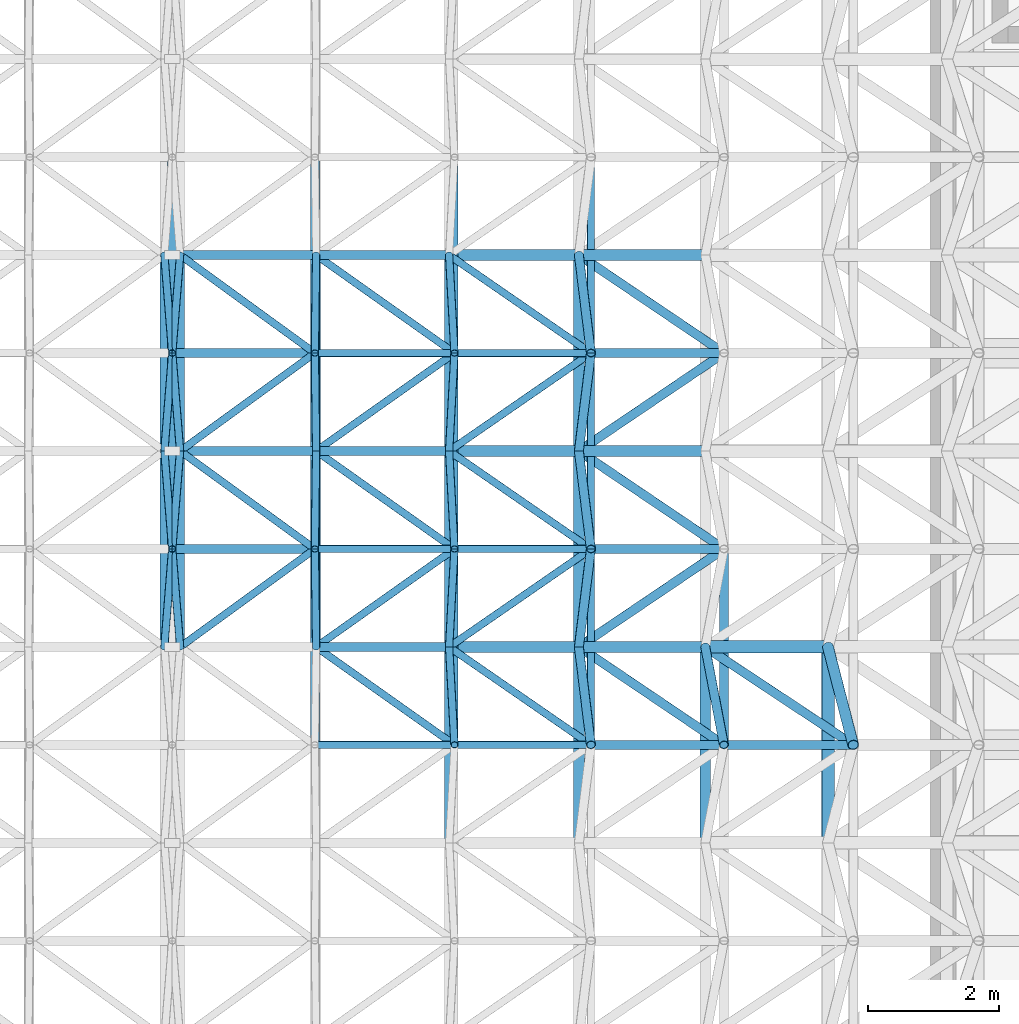
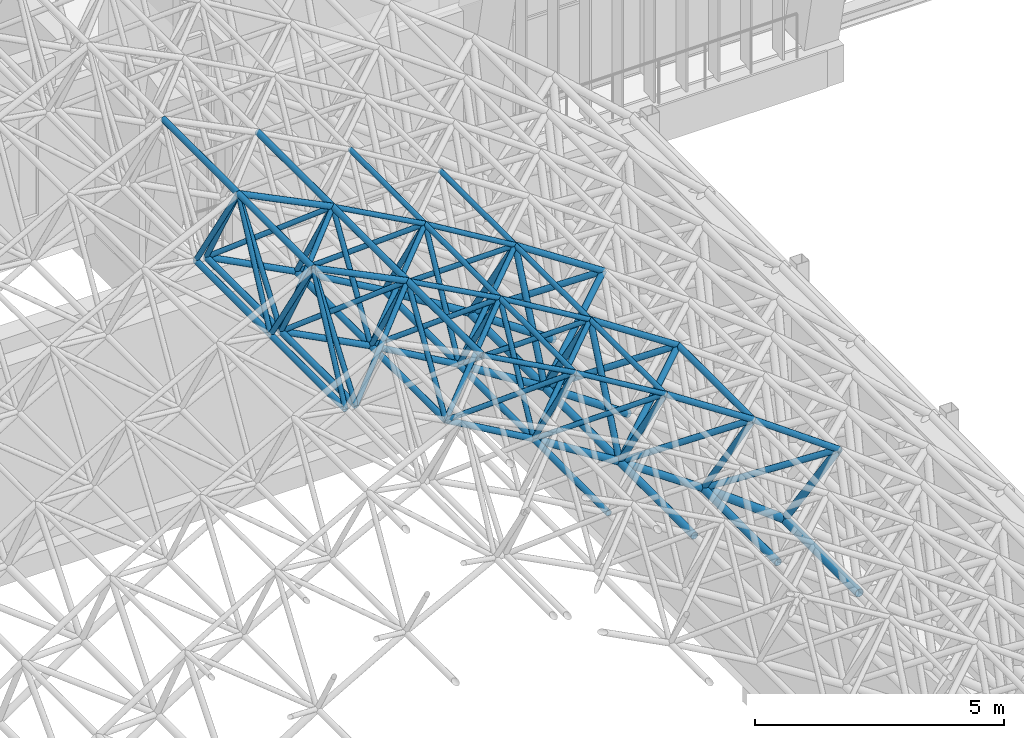
# One storey, part 22 of 141: 94 members.
"""IFC4 building model written with IfcOpenShell, lengths in metres."""

from ifc_helpers import new_model, si_unit, direction, frame, origin, origin_2d, place, context, subcontext, project, spatial, hollow_circle, extrude, material, material_profile, profile_set, type_object, element, save


model = new_model("IFC4")

# Units and contexts
model_context = context("Model", 3, precision=1e-05, world=origin(), true_north=direction((0.0, 1.0)))
body_context = subcontext(model_context, "Body", "Model", "MODEL_VIEW")
ifc_project = project(units=[si_unit("LENGTHUNIT", "METRE"), si_unit("AREAUNIT", "SQUARE_METRE"), si_unit("VOLUMEUNIT", "CUBIC_METRE"), si_unit("PLANEANGLEUNIT", "RADIAN"), si_unit("MASSUNIT", "GRAM", prefix="KILO")], contexts=[model_context])

# Site, building, storey
site_placement = place(None, origin())
site = spatial("IfcSite", under=ifc_project, at=site_placement, CompositionType="ELEMENT")
building_placement = place(site_placement, origin())
building = spatial("IfcBuilding", under=site, at=building_placement, Name="Lantern Court Media Centre", CompositionType="ELEMENT")
storey_placement = place(building_placement, frame((0.0, 0.0, 9.60009765625)))
storey = spatial("IfcBuildingStorey", under=building, at=storey_placement, Name="L02", CompositionType="ELEMENT", Elevation=9.60009765625)

# Members
ifc_material = material(Name="Steel S355J2 (EN 10025-2)", Category="steel")
ifc_material_profile_1 = material_profile(ifc_material, hollow_circle(Radius=0.06982421875, WallThickness=0.0048828125, at=origin_2d()), Name="Cinema Hall bottom CHS 139.7x5")
ifc_profile_set_1 = profile_set([ifc_material_profile_1], Name="Steel S355J2 (EN 10025-2)")
member_type_1 = type_object("IfcMemberType", Name="Cinema Hall bottom CHS 139.7x5", PredefinedType="CHORD", material=ifc_profile_set_1)
for number, where, z_axis, x_axis, name in (
    (1, (15.87939453125, 23.5, 13.298583984375), (0.0, 1.0, 0.0), (-1.0, 0.0, 0.0), "Cinema Hall bottom chord 08-09"),
    (2, (16.12060546875, 23.5, 13.298583984375), (0.0, 1.0, 0.0), (-1.0, 0.0, 0.0), "Cinema Hall bottom chord 09-09"),
    (3, (15.87939453125, 26.5, 13.298583984375), (0.0, 1.0, 0.0), (-1.0, 0.0, 0.0), "Cinema Hall bottom chord 08-10"),
    (4, (16.12060546875, 26.5, 13.298583984375), (0.0, 1.0, 0.0), (-1.0, 0.0, 0.0), "Cinema Hall bottom chord 09-10"),
):
    element("IfcMember", number, at=place(storey_placement, frame(where, z_axis=z_axis, x_axis=x_axis)), inside=storey, type_object=member_type_1, Name=name, PredefinedType="CHORD", context=body_context, shape_type="SweptSolid", body=[
        extrude(hollow_circle(Radius=0.06982421875, WallThickness=0.0048828125, at=origin_2d()), origin(), (0.0, 0.0, 1.0), 3.0),
    ])
ifc_material_profile_2 = material_profile(ifc_material, hollow_circle(Radius=0.06982421875, WallThickness=0.00634765625, at=origin_2d()), Name="Cinema Hall bottom CHS 139.7x6.3")
ifc_profile_set_2 = profile_set([ifc_material_profile_2], Name="Steel S355J2 (EN 10025-2)")
member_type_2 = type_object("IfcMemberType", Name="Cinema Hall bottom CHS 139.7x6.3", PredefinedType="CHORD", material=ifc_profile_set_2)
for number, where, z_axis, x_axis, name in (
    (5, (20.23974609375, 20.5, 11.04443359375), (0.0, 1.0, 0.0), (-1.0, 0.0, 0.0), "Cinema Hall bottom chord 11-08"),
    (6, (18.203125, 23.5, 12.21337890625), (0.0, 1.0, 0.0), (-1.0, 0.0, 0.0), "Cinema Hall bottom chord 10-09"),
    (7, (20.23974609375, 23.5, 11.04443359375), (0.0, 1.0, 0.0), (-1.0, 0.0, 0.0), "Cinema Hall bottom chord 11-09"),
    (8, (18.203125, 26.5, 12.21337890625), (0.0, 1.0, 0.0), (-1.0, 0.0, 0.0), "Cinema Hall bottom chord 10-10"),
    (9, (20.23974609375, 26.5, 11.04443359375), (0.0, 1.0, 0.0), (-1.0, 0.0, 0.0), "Cinema Hall bottom chord 11-10"),
):
    element("IfcMember", number, at=place(storey_placement, frame(where, z_axis=z_axis, x_axis=x_axis)), inside=storey, type_object=member_type_2, Name=name, PredefinedType="CHORD", context=body_context, shape_type="SweptSolid", body=[
        extrude(hollow_circle(Radius=0.06982421875, WallThickness=0.00634765625, at=origin_2d()), origin(), (0.0, 0.0, 1.0), 3.0),
    ])
member_1_placement = place(storey_placement, frame((18.203125, 23.5, 12.21337890625), z_axis=(0.867294659253, 0.0, -0.497795112503), x_axis=(0.0, 1.0, 0.0)))
element("IfcMember", 10, at=member_1_placement, inside=storey, type_object=member_type_2, Name="Cinema Hall bottom chord 10-09 across", PredefinedType="CHORD", context=body_context, shape_type="SweptSolid", body=[
    extrude(hollow_circle(Radius=0.06982421875, WallThickness=0.00634765625, at=origin_2d()), origin(), (0.0, 0.0, 1.0), 2.34814453125),
])
member_2_placement = place(storey_placement, frame((16.12060546875, 26.5, 13.298583984375), z_axis=(0.88681645353, 0.0, -0.462121821329), x_axis=(0.0, 1.0, 0.0)))
element("IfcMember", 11, at=member_2_placement, inside=storey, type_object=member_type_2, Name="Cinema Hall bottom chord 09-10 across", PredefinedType="CHORD", context=body_context, shape_type="SweptSolid", body=[
    extrude(hollow_circle(Radius=0.06982421875, WallThickness=0.00634765625, at=origin_2d()), origin(), (0.0, 0.0, 1.0), 2.348388671875),
])
member_3_placement = place(storey_placement, frame((18.203125, 26.5, 12.21337890625), z_axis=(0.867294659253, 0.0, -0.497795112503), x_axis=(0.0, 1.0, 0.0)))
element("IfcMember", 12, at=member_3_placement, inside=storey, type_object=member_type_2, Name="Cinema Hall bottom chord 10-10 across", PredefinedType="CHORD", context=body_context, shape_type="SweptSolid", body=[
    extrude(hollow_circle(Radius=0.06982421875, WallThickness=0.00634765625, at=origin_2d()), origin(), (0.0, 0.0, 1.0), 2.34814453125),
])
member_4_placement = place(storey_placement, frame((16.12060546875, 29.5, 13.298583984375), z_axis=(0.88681645353, 0.0, -0.462121821329), x_axis=(0.0, 1.0, 0.0)))
element("IfcMember", 13, at=member_4_placement, inside=storey, type_object=member_type_2, Name="Cinema Hall bottom chord 09-11 across", PredefinedType="CHORD", context=body_context, shape_type="SweptSolid", body=[
    extrude(hollow_circle(Radius=0.06982421875, WallThickness=0.00634765625, at=origin_2d()), origin(), (0.0, 0.0, 1.0), 2.348388671875),
])
member_5_placement = place(storey_placement, frame((18.203125, 29.5, 12.21337890625), z_axis=(0.867294659253, 0.0, -0.497795112503), x_axis=(0.0, 1.0, 0.0)))
element("IfcMember", 14, at=member_5_placement, inside=storey, type_object=member_type_2, Name="Cinema Hall bottom chord 10-11 across", PredefinedType="CHORD", context=body_context, shape_type="SweptSolid", body=[
    extrude(hollow_circle(Radius=0.06982421875, WallThickness=0.00634765625, at=origin_2d()), origin(), (0.0, 0.0, 1.0), 2.34814453125),
])
ifc_material_profile_3 = material_profile(ifc_material, hollow_circle(Radius=0.084228515625, WallThickness=0.00634765625, at=origin_2d()), Name="Cinema Hall bottom CHS 168.3x6.3")
ifc_profile_set_3 = profile_set([ifc_material_profile_3], Name="Steel S355J2 (EN 10025-2)")
member_type_3 = type_object("IfcMemberType", Name="Cinema Hall bottom CHS 168.3x6.3", PredefinedType="CHORD", material=ifc_profile_set_3)
for number, where, z_axis, x_axis, name in (
    (15, (22.227294921875, 20.5, 9.7939453125), (0.0, 1.0, 0.0), (-1.0, 0.0, 0.0), "Cinema Hall bottom chord 12-08"),
    (16, (22.227294921875, 23.5, 9.7939453125), (0.0, 1.0, 0.0), (-1.0, 0.0, 0.0), "Cinema Hall bottom chord 12-09"),
    (17, (22.227294921875, 26.5, 9.7939453125), (0.0, 1.0, 0.0), (-1.0, 0.0, 0.0), "Cinema Hall bottom chord 12-10"),
):
    element("IfcMember", number, at=place(storey_placement, frame(where, z_axis=z_axis, x_axis=x_axis)), inside=storey, type_object=member_type_3, Name=name, PredefinedType="CHORD", context=body_context, shape_type="SweptSolid", body=[
        extrude(hollow_circle(Radius=0.084228515625, WallThickness=0.00634765625, at=origin_2d()), origin(), (0.0, 0.0, 1.0), 3.0),
    ])
for number, where, z_axis, x_axis, name in (
    (18, (20.23974609375, 23.5, 11.04443359375), (0.846411623189, 0.0, -0.532529214344), (0.0, 1.0, 0.0), "Cinema Hall bottom chord 11-09 across"),
    (19, (20.23974609375, 26.5, 11.04443359375), (0.846411623189, 0.0, -0.532529214344), (0.0, 1.0, 0.0), "Cinema Hall bottom chord 11-10 across"),
    (20, (20.23974609375, 29.5, 11.04443359375), (0.846411623189, 0.0, -0.532529214344), (0.0, 1.0, 0.0), "Cinema Hall bottom chord 11-11 across"),
):
    element("IfcMember", number, at=place(storey_placement, frame(where, z_axis=z_axis, x_axis=x_axis)), inside=storey, type_object=member_type_3, Name=name, PredefinedType="CHORD", context=body_context, shape_type="SweptSolid", body=[
        extrude(hollow_circle(Radius=0.084228515625, WallThickness=0.00634765625, at=origin_2d()), origin(), (0.0, 0.0, 1.0), 2.34814453125),
    ])
ifc_material_profile_4 = material_profile(ifc_material, hollow_circle(Radius=0.084228515625, WallThickness=0.008056640625, at=origin_2d()), Name="Cinema Hall bottom CHS 168.3x8")
ifc_profile_set_4 = profile_set([ifc_material_profile_4], Name="Steel S355J2 (EN 10025-2)")
member_type_4 = type_object("IfcMemberType", Name="Cinema Hall bottom CHS 168.3x8", PredefinedType="CHORD", material=ifc_profile_set_4)
member_6_placement = place(storey_placement, frame((24.162353515625, 20.5, 8.463623046875), z_axis=(0.0, 1.0, 0.0), x_axis=(-1.0, 0.0, 0.0)))
element("IfcMember", 21, at=member_6_placement, inside=storey, type_object=member_type_4, Name="Cinema Hall bottom chord 13-08", PredefinedType="CHORD", context=body_context, shape_type="SweptSolid", body=[
    extrude(hollow_circle(Radius=0.084228515625, WallThickness=0.008056640625, at=origin_2d()), origin(), (0.0, 0.0, 1.0), 3.0),
])
for number, where, z_axis, x_axis, name in (
    (22, (22.227294921875, 23.5, 9.7939453125), (0.824047991233, 0.0, -0.56651999801), (0.0, 1.0, 0.0), "Cinema Hall bottom chord 12-09 across"),
    (23, (22.227294921875, 26.5, 9.7939453125), (0.824047991233, 0.0, -0.56651999801), (0.0, 1.0, 0.0), "Cinema Hall bottom chord 12-10 across"),
    (24, (22.227294921875, 29.5, 9.7939453125), (0.824047991233, 0.0, -0.56651999801), (0.0, 1.0, 0.0), "Cinema Hall bottom chord 12-11 across"),
):
    element("IfcMember", number, at=place(storey_placement, frame(where, z_axis=z_axis, x_axis=x_axis)), inside=storey, type_object=member_type_4, Name=name, PredefinedType="CHORD", context=body_context, shape_type="SweptSolid", body=[
        extrude(hollow_circle(Radius=0.084228515625, WallThickness=0.008056640625, at=origin_2d()), origin(), (0.0, 0.0, 1.0), 2.34814453125),
    ])
ifc_material_profile_5 = material_profile(ifc_material, hollow_circle(Radius=0.096923828125, WallThickness=0.008056640625, at=origin_2d()), Name="Cinema Hall bottom CHS 193.7x8")
ifc_profile_set_5 = profile_set([ifc_material_profile_5], Name="Steel S355J2 (EN 10025-2)")
member_type_5 = type_object("IfcMemberType", Name="Cinema Hall bottom CHS 193.7x8", PredefinedType="CHORD", material=ifc_profile_set_5)
member_7_placement = place(storey_placement, frame((26.041748046875, 20.5, 7.0556640625), z_axis=(0.0, 1.0, 0.0), x_axis=(-1.0, 0.0, 0.0)))
element("IfcMember", 25, at=member_7_placement, inside=storey, type_object=member_type_5, Name="Cinema Hall bottom chord 14-08", PredefinedType="CHORD", context=body_context, shape_type="SweptSolid", body=[
    extrude(hollow_circle(Radius=0.096923828125, WallThickness=0.008056640625, at=origin_2d()), origin(), (0.0, 0.0, 1.0), 3.0),
])
member_8_placement = place(storey_placement, frame((24.162353515625, 23.5, 8.463623046875), z_axis=(0.800324254575, 0.0, -0.599567417009), x_axis=(0.0, 1.0, 0.0)))
element("IfcMember", 26, at=member_8_placement, inside=storey, type_object=member_type_5, Name="Cinema Hall bottom chord 13-09 across", PredefinedType="CHORD", context=body_context, shape_type="SweptSolid", body=[
    extrude(hollow_circle(Radius=0.096923828125, WallThickness=0.008056640625, at=origin_2d()), origin(), (0.0, 0.0, 1.0), 2.348388671875),
])
ifc_material_profile_6 = material_profile(ifc_material, hollow_circle(Radius=0.05712890625, WallThickness=0.0048828125, at=origin_2d()), Name="Cinema Hall diagonal CHS 114.3x5")
ifc_profile_set_6 = profile_set([ifc_material_profile_6], Name="Steel S355J2 (EN 10025-2)")
member_type_6 = type_object("IfcMemberType", Name="Cinema Hall diagonal CHS 114.3x5", PredefinedType="BRACE", material=ifc_profile_set_6)
member_9_placement = place(storey_placement, frame((15.87939453125, 23.5, 13.298583984375), z_axis=(0.041317175069, 0.513871910171, 0.85687137365), x_axis=(-0.996783215266, 0.080145004613, 0.0)))
element("IfcMember", 27, at=member_9_placement, inside=storey, type_object=member_type_6, Name="Cinema Hall diagonal 08-09-3", PredefinedType="BRACE", context=body_context, shape_type="SweptSolid", body=[
    extrude(hollow_circle(Radius=0.05712890625, WallThickness=0.0048828125, at=origin_2d()), origin(), (0.0, 0.0, 1.0), 2.9189453125),
])
member_10_placement = place(storey_placement, frame((16.12060546875, 23.5, 13.298583984375), z_axis=(0.706879781117, 0.513851085564, 0.486084392789), x_axis=(-0.587989591395, 0.808868493892, 0.0)))
element("IfcMember", 28, at=member_10_placement, inside=storey, type_object=member_type_6, Name="Cinema Hall diagonal 09-09-3", PredefinedType="BRACE", context=body_context, shape_type="SweptSolid", body=[
    extrude(hollow_circle(Radius=0.05712890625, WallThickness=0.0048828125, at=origin_2d()), origin(), (0.0, 0.0, 1.0), 2.919189453125),
])
for number, where, z_axis, x_axis, name in (
    (29, (16.12060546875, 23.5, 13.298583984375), (-0.041317175069, 0.513871910171, 0.85687137365), (-0.996783215266, -0.080145004613, 0.0), "Cinema Hall diagonal 09-09-4"),
    (30, (15.87939453125, 26.5, 13.298583984375), (0.041317175069, -0.513871910171, 0.85687137365), (0.996783215266, 0.080145004613, 0.0), "Cinema Hall diagonal 08-10-2"),
    (31, (15.87939453125, 26.5, 13.298583984375), (0.041317175069, 0.513871910171, 0.85687137365), (-0.996783215266, 0.080145004613, 0.0), "Cinema Hall diagonal 08-10-3"),
    (32, (16.12060546875, 26.5, 13.298583984375), (-0.041317175069, -0.513871910171, 0.85687137365), (0.996783215266, -0.080145004613, 0.0), "Cinema Hall diagonal 09-10-1"),
):
    element("IfcMember", number, at=place(storey_placement, frame(where, z_axis=z_axis, x_axis=x_axis)), inside=storey, type_object=member_type_6, Name=name, PredefinedType="BRACE", context=body_context, shape_type="SweptSolid", body=[
        extrude(hollow_circle(Radius=0.05712890625, WallThickness=0.0048828125, at=origin_2d()), origin(), (0.0, 0.0, 1.0), 2.9189453125),
    ])
for number, where, z_axis, x_axis, name in (
    (33, (16.12060546875, 26.5, 13.298583984375), (0.706879781117, -0.513851085564, 0.486084392789), (0.587989591395, 0.808868493892, 0.0), "Cinema Hall diagonal 09-10-2"),
    (34, (16.12060546875, 26.5, 13.298583984375), (0.706879781117, 0.513851085564, 0.486084392789), (-0.587989591395, 0.808868493892, 0.0), "Cinema Hall diagonal 09-10-3"),
):
    element("IfcMember", number, at=place(storey_placement, frame(where, z_axis=z_axis, x_axis=x_axis)), inside=storey, type_object=member_type_6, Name=name, PredefinedType="BRACE", context=body_context, shape_type="SweptSolid", body=[
        extrude(hollow_circle(Radius=0.05712890625, WallThickness=0.0048828125, at=origin_2d()), origin(), (0.0, 0.0, 1.0), 2.919189453125),
    ])
for number, where, z_axis, x_axis, name in (
    (35, (16.12060546875, 26.5, 13.298583984375), (-0.041317175069, 0.513871910171, 0.85687137365), (-0.996783215266, -0.080145004613, 0.0), "Cinema Hall diagonal 09-10-4"),
    (36, (15.87939453125, 29.5, 13.298583984375), (0.041317175069, -0.513871910171, 0.85687137365), (0.996783215266, 0.080145004613, 0.0), "Cinema Hall diagonal 08-11-2"),
    (37, (16.12060546875, 29.5, 13.298583984375), (-0.041317175069, -0.513871910171, 0.85687137365), (0.996783215266, -0.080145004613, 0.0), "Cinema Hall diagonal 09-11-1"),
):
    element("IfcMember", number, at=place(storey_placement, frame(where, z_axis=z_axis, x_axis=x_axis)), inside=storey, type_object=member_type_6, Name=name, PredefinedType="BRACE", context=body_context, shape_type="SweptSolid", body=[
        extrude(hollow_circle(Radius=0.05712890625, WallThickness=0.0048828125, at=origin_2d()), origin(), (0.0, 0.0, 1.0), 2.9189453125),
    ])
member_11_placement = place(storey_placement, frame((16.12060546875, 29.5, 13.298583984375), z_axis=(0.706879781117, -0.513851085564, 0.486084392789), x_axis=(0.587989591395, 0.808868493892, 0.0)))
element("IfcMember", 38, at=member_11_placement, inside=storey, type_object=member_type_6, Name="Cinema Hall diagonal 09-11-2", PredefinedType="BRACE", context=body_context, shape_type="SweptSolid", body=[
    extrude(hollow_circle(Radius=0.05712890625, WallThickness=0.0048828125, at=origin_2d()), origin(), (0.0, 0.0, 1.0), 2.919189453125),
])
ifc_material_profile_7 = material_profile(ifc_material, hollow_circle(Radius=0.05712890625, WallThickness=0.00634765625, at=origin_2d()), Name="Cinema Hall diagonal CHS 114.3x6.3")
ifc_profile_set_7 = profile_set([ifc_material_profile_7], Name="Steel S355J2 (EN 10025-2)")
member_type_7 = type_object("IfcMemberType", Name="Cinema Hall diagonal CHS 114.3x6.3", PredefinedType="BRACE", material=ifc_profile_set_7)
for number, where, z_axis, x_axis, name in (
    (39, (18.203125, 23.5, 12.21337890625), (0.726033609038, -0.513852147671, 0.456980490702), (0.577701627838, 0.816248019411, 0.0), "Cinema Hall diagonal 10-09-2"),
    (40, (18.203125, 23.5, 12.21337890625), (0.726033609038, 0.513852147671, 0.456980490702), (-0.577701627838, 0.816248019411, 0.0), "Cinema Hall diagonal 10-09-3"),
    (41, (18.203125, 23.5, 12.21337890625), (-0.006523580306, 0.513857402591, 0.857850810283), (-0.99991942426, -0.012694289566, 0.0), "Cinema Hall diagonal 10-09-4"),
    (42, (20.23974609375, 23.5, 11.04443359375), (0.028351859734, -0.513846095007, 0.857413763999), (0.998481283351, 0.055091984872, 0.0), "Cinema Hall diagonal 11-09-1"),
    (43, (20.23974609375, 23.5, 11.04443359375), (0.744001537395, -0.513842788417, 0.427115091218), (0.568286154794, 0.822830994962, 0.0), "Cinema Hall diagonal 11-09-2"),
    (44, (20.23974609375, 23.5, 11.04443359375), (0.744001537395, 0.513842788417, 0.427115091218), (-0.568286154794, 0.822830994962, 0.0), "Cinema Hall diagonal 11-09-3"),
    (45, (20.23974609375, 23.5, 11.04443359375), (0.028351859734, 0.513846095007, 0.857413763999), (-0.998481283351, 0.055091984872, 0.0), "Cinema Hall diagonal 11-09-4"),
    (46, (18.203125, 26.5, 12.21337890625), (-0.006523580306, -0.513857402591, 0.857850810283), (0.99991942426, -0.012694289566, 0.0), "Cinema Hall diagonal 10-10-1"),
    (47, (18.203125, 26.5, 12.21337890625), (0.726033609038, -0.513852147671, 0.456980490702), (0.577701627838, 0.816248019411, 0.0), "Cinema Hall diagonal 10-10-2"),
    (48, (18.203125, 26.5, 12.21337890625), (0.726033609038, 0.513852147671, 0.456980490702), (-0.577701627838, 0.816248019411, 0.0), "Cinema Hall diagonal 10-10-3"),
    (49, (18.203125, 26.5, 12.21337890625), (-0.006523580306, 0.513857402591, 0.857850810283), (-0.99991942426, -0.012694289566, 0.0), "Cinema Hall diagonal 10-10-4"),
    (50, (20.23974609375, 26.5, 11.04443359375), (0.028351859734, -0.513846095007, 0.857413763999), (0.998481283351, 0.055091984872, 0.0), "Cinema Hall diagonal 11-10-1"),
    (51, (20.23974609375, 26.5, 11.04443359375), (0.744001537395, -0.513842788417, 0.427115091218), (0.568286154794, 0.822830994962, 0.0), "Cinema Hall diagonal 11-10-2"),
    (52, (20.23974609375, 26.5, 11.04443359375), (0.744001537395, 0.513842788417, 0.427115091218), (-0.568286154794, 0.822830994962, 0.0), "Cinema Hall diagonal 11-10-3"),
    (53, (20.23974609375, 26.5, 11.04443359375), (0.028351859734, 0.513846095007, 0.857413763999), (-0.998481283351, 0.055091984872, 0.0), "Cinema Hall diagonal 11-10-4"),
    (54, (18.203125, 29.5, 12.21337890625), (-0.006523580306, -0.513857402591, 0.857850810283), (0.99991942426, -0.012694289566, 0.0), "Cinema Hall diagonal 10-11-1"),
    (55, (18.203125, 29.5, 12.21337890625), (0.726033609038, -0.513852147671, 0.456980490702), (0.577701627838, 0.816248019411, 0.0), "Cinema Hall diagonal 10-11-2"),
    (56, (20.23974609375, 29.5, 11.04443359375), (0.028351859734, -0.513846095007, 0.857413763999), (0.998481283351, 0.055091984872, 0.0), "Cinema Hall diagonal 11-11-1"),
    (57, (20.23974609375, 29.5, 11.04443359375), (0.744001537395, -0.513842788417, 0.427115091218), (0.568286154794, 0.822830994962, 0.0), "Cinema Hall diagonal 11-11-2"),
):
    element("IfcMember", number, at=place(storey_placement, frame(where, z_axis=z_axis, x_axis=x_axis)), inside=storey, type_object=member_type_7, Name=name, PredefinedType="BRACE", context=body_context, shape_type="SweptSolid", body=[
        extrude(hollow_circle(Radius=0.05712890625, WallThickness=0.00634765625, at=origin_2d()), origin(), (0.0, 0.0, 1.0), 2.919189453125),
    ])
ifc_material_profile_8 = material_profile(ifc_material, hollow_circle(Radius=0.06982421875, WallThickness=0.00634765625, at=origin_2d()), Name="Cinema Hall diagonal CHS 139.7x6.3")
ifc_profile_set_8 = profile_set([ifc_material_profile_8], Name="Steel S355J2 (EN 10025-2)")
member_type_8 = type_object("IfcMemberType", Name="Cinema Hall diagonal CHS 139.7x6.3", PredefinedType="BRACE", material=ifc_profile_set_8)
member_12_placement = place(storey_placement, frame((22.227294921875, 23.5, 9.7939453125), z_axis=(0.063147046974, -0.513874776966, 0.855537938409), x_axis=(0.992534194664, 0.121966685705, 0.0)))
element("IfcMember", 58, at=member_12_placement, inside=storey, type_object=member_type_8, Name="Cinema Hall diagonal 12-09-1", PredefinedType="BRACE", context=body_context, shape_type="SweptSolid", body=[
    extrude(hollow_circle(Radius=0.06982421875, WallThickness=0.00634765625, at=origin_2d()), origin(), (0.0, 0.0, 1.0), 2.9189453125),
])
for number, where, z_axis, x_axis, name in (
    (59, (22.227294921875, 23.5, 9.7939453125), (0.760744068819, -0.513853513503, 0.396513591718), (0.559735691147, 0.828671199003, 0.0), "Cinema Hall diagonal 12-09-2"),
    (60, (22.227294921875, 23.5, 9.7939453125), (0.760744068819, 0.513853513503, 0.396513591718), (-0.559735691147, 0.828671199003, 0.0), "Cinema Hall diagonal 12-09-3"),
):
    element("IfcMember", number, at=place(storey_placement, frame(where, z_axis=z_axis, x_axis=x_axis)), inside=storey, type_object=member_type_8, Name=name, PredefinedType="BRACE", context=body_context, shape_type="SweptSolid", body=[
        extrude(hollow_circle(Radius=0.06982421875, WallThickness=0.00634765625, at=origin_2d()), origin(), (0.0, 0.0, 1.0), 2.919189453125),
    ])
for number, where, z_axis, x_axis, name in (
    (61, (22.227294921875, 23.5, 9.7939453125), (0.063147046974, 0.513874776966, 0.855537938409), (-0.992534194664, 0.121966685705, 0.0), "Cinema Hall diagonal 12-09-4"),
    (62, (22.227294921875, 26.5, 9.7939453125), (0.063147046974, -0.513874776966, 0.855537938409), (0.992534194664, 0.121966685705, 0.0), "Cinema Hall diagonal 12-10-1"),
):
    element("IfcMember", number, at=place(storey_placement, frame(where, z_axis=z_axis, x_axis=x_axis)), inside=storey, type_object=member_type_8, Name=name, PredefinedType="BRACE", context=body_context, shape_type="SweptSolid", body=[
        extrude(hollow_circle(Radius=0.06982421875, WallThickness=0.00634765625, at=origin_2d()), origin(), (0.0, 0.0, 1.0), 2.9189453125),
    ])
for number, where, z_axis, x_axis, name in (
    (63, (22.227294921875, 26.5, 9.7939453125), (0.760744068819, -0.513853513503, 0.396513591718), (0.559735691147, 0.828671199003, 0.0), "Cinema Hall diagonal 12-10-2"),
    (64, (22.227294921875, 26.5, 9.7939453125), (0.760744068819, 0.513853513503, 0.396513591718), (-0.559735691147, 0.828671199003, 0.0), "Cinema Hall diagonal 12-10-3"),
):
    element("IfcMember", number, at=place(storey_placement, frame(where, z_axis=z_axis, x_axis=x_axis)), inside=storey, type_object=member_type_8, Name=name, PredefinedType="BRACE", context=body_context, shape_type="SweptSolid", body=[
        extrude(hollow_circle(Radius=0.06982421875, WallThickness=0.00634765625, at=origin_2d()), origin(), (0.0, 0.0, 1.0), 2.919189453125),
    ])
for number, where, z_axis, x_axis, name in (
    (65, (22.227294921875, 26.5, 9.7939453125), (0.063147046974, 0.513874776966, 0.855537938409), (-0.992534194664, 0.121966685705, 0.0), "Cinema Hall diagonal 12-10-4"),
    (66, (22.227294921875, 29.5, 9.7939453125), (0.063147046974, -0.513874776966, 0.855537938409), (0.992534194664, 0.121966685705, 0.0), "Cinema Hall diagonal 12-11-1"),
):
    element("IfcMember", number, at=place(storey_placement, frame(where, z_axis=z_axis, x_axis=x_axis)), inside=storey, type_object=member_type_8, Name=name, PredefinedType="BRACE", context=body_context, shape_type="SweptSolid", body=[
        extrude(hollow_circle(Radius=0.06982421875, WallThickness=0.00634765625, at=origin_2d()), origin(), (0.0, 0.0, 1.0), 2.9189453125),
    ])
member_13_placement = place(storey_placement, frame((22.227294921875, 29.5, 9.7939453125), z_axis=(0.760744068819, -0.513853513503, 0.396513591718), x_axis=(0.559735691147, 0.828671199003, 0.0)))
element("IfcMember", 67, at=member_13_placement, inside=storey, type_object=member_type_8, Name="Cinema Hall diagonal 12-11-2", PredefinedType="BRACE", context=body_context, shape_type="SweptSolid", body=[
    extrude(hollow_circle(Radius=0.06982421875, WallThickness=0.00634765625, at=origin_2d()), origin(), (0.0, 0.0, 1.0), 2.919189453125),
])
ifc_material_profile_9 = material_profile(ifc_material, hollow_circle(Radius=0.06982421875, WallThickness=0.008056640625, at=origin_2d()), Name="Cinema Hall diagonal CHS 139.7x8")
ifc_profile_set_9 = profile_set([ifc_material_profile_9], Name="Steel S355J2 (EN 10025-2)")
member_type_9 = type_object("IfcMemberType", Name="Cinema Hall diagonal CHS 139.7x8", PredefinedType="BRACE", material=ifc_profile_set_9)
member_14_placement = place(storey_placement, frame((24.162353515625, 23.5, 8.463623046875), z_axis=(0.09785614588, -0.51387022247, 0.852268484207), x_axis=(0.982346962135, 0.187068025016, 0.0)))
element("IfcMember", 68, at=member_14_placement, inside=storey, type_object=member_type_9, Name="Cinema Hall diagonal 13-09-1", PredefinedType="BRACE", context=body_context, shape_type="SweptSolid", body=[
    extrude(hollow_circle(Radius=0.06982421875, WallThickness=0.008056640625, at=origin_2d()), origin(), (0.0, 0.0, 1.0), 2.9189453125),
])
member_15_placement = place(storey_placement, frame((24.162353515625, 23.5, 8.463623046875), z_axis=(0.776210877705, -0.513849761084, 0.365315064521), x_axis=(0.552001963744, 0.833842810141, 0.0)))
element("IfcMember", 69, at=member_15_placement, inside=storey, type_object=member_type_9, Name="Cinema Hall diagonal 13-09-2", PredefinedType="BRACE", context=body_context, shape_type="SweptSolid", body=[
    extrude(hollow_circle(Radius=0.06982421875, WallThickness=0.008056640625, at=origin_2d()), origin(), (0.0, 0.0, 1.0), 2.919189453125),
])
ifc_material_profile_10 = material_profile(ifc_material, hollow_circle(Radius=0.084228515625, WallThickness=0.008056640625, at=origin_2d()), Name="Cinema Hall diagonal CHS 168.3x8")
ifc_profile_set_10 = profile_set([ifc_material_profile_10], Name="Steel S355J2 (EN 10025-2)")
member_type_10 = type_object("IfcMemberType", Name="Cinema Hall diagonal CHS 168.3x8", PredefinedType="BRACE", material=ifc_profile_set_10)
member_16_placement = place(storey_placement, frame((26.041748046875, 23.5, 7.0556640625), z_axis=(0.132389678542, -0.513835871739, 0.847611744804), x_axis=(0.968374432366, 0.249501420318, 0.0)))
element("IfcMember", 70, at=member_16_placement, inside=storey, type_object=member_type_10, Name="Cinema Hall diagonal 14-09-1", PredefinedType="BRACE", context=body_context, shape_type="SweptSolid", body=[
    extrude(hollow_circle(Radius=0.084228515625, WallThickness=0.008056640625, at=origin_2d()), origin(), (0.0, 0.0, 1.0), 2.919189453125),
])
ifc_material_profile_11 = material_profile(ifc_material, hollow_circle(Radius=0.05712890625, WallThickness=0.00634765625, at=origin_2d()), Name="Cinema Hall top CHS 114.3x6.3")
ifc_profile_set_11 = profile_set([ifc_material_profile_11], Name="Steel S355J2 (EN 10025-2)")
member_type_11 = type_object("IfcMemberType", Name="Cinema Hall top CHS 114.3x6.3", PredefinedType="CHORD", material=ifc_profile_set_11)
for number, where, z_axis, x_axis, name in (
    (71, (20.322509765625, 22.0, 13.54736328125), (0.0, 1.0, 0.0), (-1.0, 0.0, 0.0), "Cinema Hall top chord 11-09"),
    (72, (22.41162109375, 22.0, 12.291259765625), (0.0, 1.0, 0.0), (-1.0, 0.0, 0.0), "Cinema Hall top chord 12-09"),
    (73, (20.322509765625, 25.0, 13.54736328125), (0.0, 1.0, 0.0), (-1.0, 0.0, 0.0), "Cinema Hall top chord 11-10"),
    (74, (22.41162109375, 25.0, 12.291259765625), (0.0, 1.0, 0.0), (-1.0, 0.0, 0.0), "Cinema Hall top chord 12-10"),
    (75, (20.322509765625, 28.0, 13.54736328125), (0.0, 1.0, 0.0), (-1.0, 0.0, 0.0), "Cinema Hall top chord 11-11"),
    (76, (22.41162109375, 28.0, 12.291259765625), (0.0, 1.0, 0.0), (-1.0, 0.0, 0.0), "Cinema Hall top chord 12-11"),
):
    element("IfcMember", number, at=place(storey_placement, frame(where, z_axis=z_axis, x_axis=x_axis)), inside=storey, type_object=member_type_11, Name=name, PredefinedType="CHORD", context=body_context, shape_type="SweptSolid", body=[
        extrude(hollow_circle(Radius=0.05712890625, WallThickness=0.00634765625, at=origin_2d()), origin(), (0.0, 0.0, 1.0), 3.0),
    ])
for number, where, z_axis, x_axis, name in (
    (77, (18.18408203125, 22.0, 14.717529296875), (0.87724791815, 0.0, -0.480037592384), (0.0, 1.0, 0.0), "Cinema Hall top chord 10-09 across"),
    (78, (20.322509765625, 22.0, 13.54736328125), (0.857015353865, 0.0, -0.515290872459), (0.0, 1.0, 0.0), "Cinema Hall top chord 11-09 across"),
    (79, (18.18408203125, 25.0, 14.717529296875), (0.87724791815, 0.0, -0.480037592384), (0.0, 1.0, 0.0), "Cinema Hall top chord 10-10 across"),
    (80, (20.322509765625, 25.0, 13.54736328125), (0.857015353865, 0.0, -0.515290872459), (0.0, 1.0, 0.0), "Cinema Hall top chord 11-10 across"),
    (81, (18.18408203125, 28.0, 14.717529296875), (0.87724791815, 0.0, -0.480037592384), (0.0, 1.0, 0.0), "Cinema Hall top chord 10-11 across"),
    (82, (20.322509765625, 28.0, 13.54736328125), (0.857015353865, 0.0, -0.515290872459), (0.0, 1.0, 0.0), "Cinema Hall top chord 11-11 across"),
):
    element("IfcMember", number, at=place(storey_placement, frame(where, z_axis=z_axis, x_axis=x_axis)), inside=storey, type_object=member_type_11, Name=name, PredefinedType="CHORD", context=body_context, shape_type="SweptSolid", body=[
        extrude(hollow_circle(Radius=0.05712890625, WallThickness=0.00634765625, at=origin_2d()), origin(), (0.0, 0.0, 1.0), 2.437744140625),
    ])
ifc_material_profile_12 = material_profile(ifc_material, hollow_circle(Radius=0.06982421875, WallThickness=0.0048828125, at=origin_2d()), Name="Cinema Hall top CHS 139.7x5")
ifc_profile_set_12 = profile_set([ifc_material_profile_12], Name="Steel S355J2 (EN 10025-2)")
member_type_12 = type_object("IfcMemberType", Name="Cinema Hall top CHS 139.7x5", PredefinedType="CHORD", material=ifc_profile_set_12)
for number, where, z_axis, x_axis, name in (
    (83, (18.18408203125, 22.0, 14.717529296875), (0.0, 1.0, 0.0), (-1.0, 0.0, 0.0), "Cinema Hall top chord 10-09"),
    (84, (16.0, 25.0, 15.7998046875), (0.0, 1.0, 0.0), (-1.0, 0.0, 0.0), "Cinema Hall top chord 09-10"),
    (85, (18.18408203125, 25.0, 14.717529296875), (0.0, 1.0, 0.0), (-1.0, 0.0, 0.0), "Cinema Hall top chord 10-10"),
    (86, (16.0, 28.0, 15.7998046875), (0.0, 1.0, 0.0), (-1.0, 0.0, 0.0), "Cinema Hall top chord 09-11"),
    (87, (18.18408203125, 28.0, 14.717529296875), (0.0, 1.0, 0.0), (-1.0, 0.0, 0.0), "Cinema Hall top chord 10-11"),
):
    element("IfcMember", number, at=place(storey_placement, frame(where, z_axis=z_axis, x_axis=x_axis)), inside=storey, type_object=member_type_12, Name=name, PredefinedType="CHORD", context=body_context, shape_type="SweptSolid", body=[
        extrude(hollow_circle(Radius=0.06982421875, WallThickness=0.0048828125, at=origin_2d()), origin(), (0.0, 0.0, 1.0), 3.0),
    ])
for number, where, z_axis, x_axis, name in (
    (88, (16.0, 25.0, 15.7998046875), (0.896023995237, 0.0, -0.444005630549), (0.0, 1.0, 0.0), "Cinema Hall top chord 09-10 across"),
    (89, (16.0, 28.0, 15.7998046875), (0.896023995237, 0.0, -0.444005630549), (0.0, 1.0, 0.0), "Cinema Hall top chord 09-11 across"),
):
    element("IfcMember", number, at=place(storey_placement, frame(where, z_axis=z_axis, x_axis=x_axis)), inside=storey, type_object=member_type_12, Name=name, PredefinedType="CHORD", context=body_context, shape_type="SweptSolid", body=[
        extrude(hollow_circle(Radius=0.06982421875, WallThickness=0.0048828125, at=origin_2d()), origin(), (0.0, 0.0, 1.0), 2.4375),
    ])
ifc_material_profile_13 = material_profile(ifc_material, hollow_circle(Radius=0.06982421875, WallThickness=0.00634765625, at=origin_2d()), Name="Cinema Hall top CHS 139.7x6.3")
ifc_profile_set_13 = profile_set([ifc_material_profile_13], Name="Steel S355J2 (EN 10025-2)")
member_type_13 = type_object("IfcMemberType", Name="Cinema Hall top CHS 139.7x6.3", PredefinedType="CHORD", material=ifc_profile_set_13)
member_17_placement = place(storey_placement, frame((24.447998046875, 22.0, 10.951416015625), z_axis=(0.0, 1.0, 0.0), x_axis=(-1.0, 0.0, 0.0)))
element("IfcMember", 90, at=member_17_placement, inside=storey, type_object=member_type_13, Name="Cinema Hall top chord 13-09", PredefinedType="CHORD", context=body_context, shape_type="SweptSolid", body=[
    extrude(hollow_circle(Radius=0.06982421875, WallThickness=0.00634765625, at=origin_2d()), origin(), (0.0, 0.0, 1.0), 3.0),
])
for number, where, z_axis, x_axis, name in (
    (91, (22.41162109375, 22.0, 12.291259765625), (0.835394087943, 0.0, -0.549651451221), (0.0, 1.0, 0.0), "Cinema Hall top chord 12-09 across"),
    (92, (22.41162109375, 25.0, 12.291259765625), (0.835394087943, 0.0, -0.549651451221), (0.0, 1.0, 0.0), "Cinema Hall top chord 12-10 across"),
    (93, (22.41162109375, 28.0, 12.291259765625), (0.835394087943, 0.0, -0.549651451221), (0.0, 1.0, 0.0), "Cinema Hall top chord 12-11 across"),
):
    element("IfcMember", number, at=place(storey_placement, frame(where, z_axis=z_axis, x_axis=x_axis)), inside=storey, type_object=member_type_13, Name=name, PredefinedType="CHORD", context=body_context, shape_type="SweptSolid", body=[
        extrude(hollow_circle(Radius=0.06982421875, WallThickness=0.00634765625, at=origin_2d()), origin(), (0.0, 0.0, 1.0), 2.437744140625),
    ])
ifc_material_profile_14 = material_profile(ifc_material, hollow_circle(Radius=0.06982421875, WallThickness=0.008056640625, at=origin_2d()), Name="Cinema Hall top CHS 139.7x8")
ifc_profile_set_14 = profile_set([ifc_material_profile_14], Name="Steel S355J2 (EN 10025-2)")
member_type_14 = type_object("IfcMemberType", Name="Cinema Hall top CHS 139.7x8", PredefinedType="CHORD", material=ifc_profile_set_14)
member_18_placement = place(storey_placement, frame((24.447998046875, 22.0, 10.951416015625), z_axis=(0.812384562891, 0.0, -0.583122047239), x_axis=(0.0, 1.0, 0.0)))
element("IfcMember", 94, at=member_18_placement, inside=storey, type_object=member_type_14, Name="Cinema Hall top chord 13-09 across", PredefinedType="CHORD", context=body_context, shape_type="SweptSolid", body=[
    extrude(hollow_circle(Radius=0.06982421875, WallThickness=0.008056640625, at=origin_2d()), origin(), (0.0, 0.0, 1.0), 2.4375),
])

save(model, "model.ifc")
